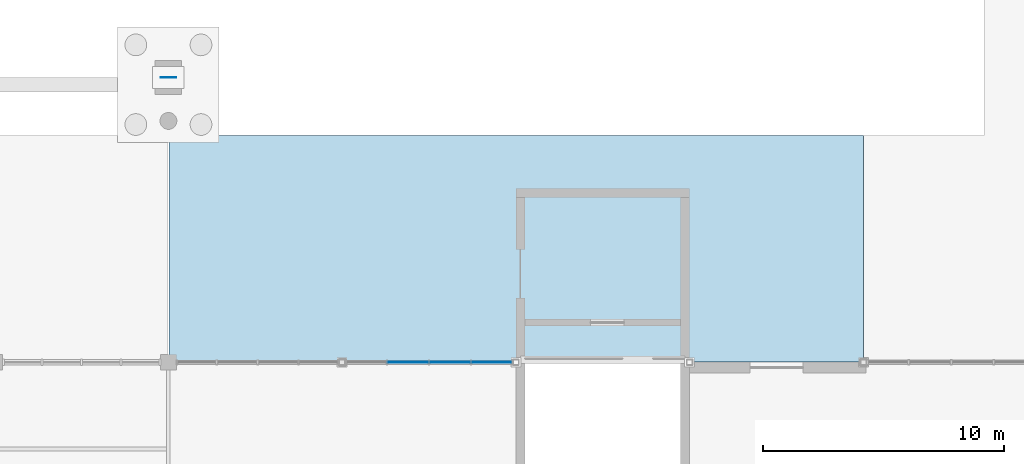
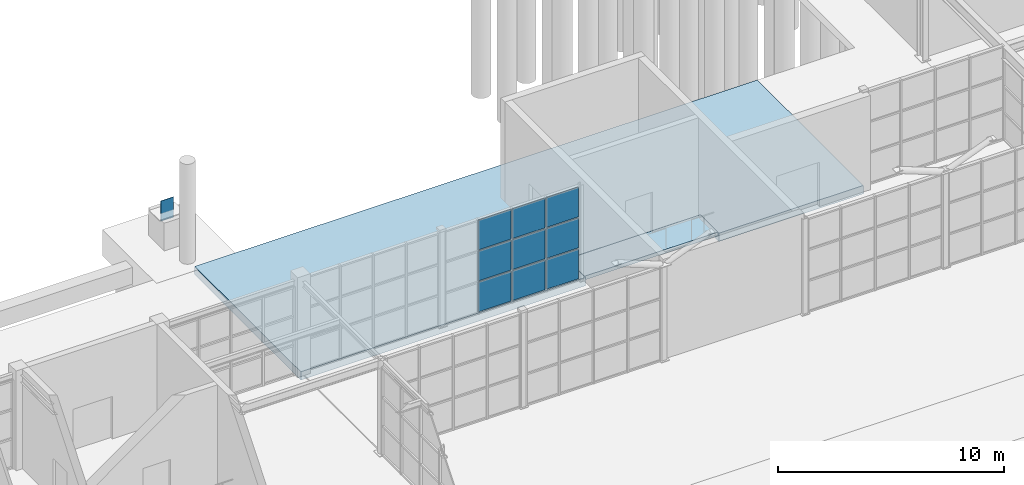
# One storey, part 47 of 75: 10 plates, 2 slabs, 1 element without a shape of its own.
"""IFC4 building model written with IfcOpenShell, lengths in metres."""

from ifc_helpers import new_model, si_unit, direction, frame, origin, origin_2d, place, context, subcontext, project, spatial, polyline, rectangle, outline, extrude, material, layer, layer_set, type_object, element, aggregate, save


model = new_model("IFC4")

# Units and contexts
model_context = context("Model", 3, precision=1e-05, world=origin(), true_north=direction((0.0, 1.0)))
body_context = subcontext(model_context, "Body", "Model", "MODEL_VIEW")
ifc_project = project(units=[si_unit("LENGTHUNIT", "METRE"), si_unit("AREAUNIT", "SQUARE_METRE"), si_unit("VOLUMEUNIT", "CUBIC_METRE"), si_unit("PLANEANGLEUNIT", "RADIAN"), si_unit("MASSUNIT", "GRAM", prefix="KILO")], contexts=[model_context])

# Site, building, storey
site_placement = place(None, origin())
site = spatial("IfcSite", under=ifc_project, at=site_placement, CompositionType="ELEMENT")
building_placement = place(site_placement, origin())
building = spatial("IfcBuilding", under=site, at=building_placement, Name="Leyfeld Transit Interchange", CompositionType="ELEMENT")
storey_placement = place(building_placement, origin())
storey = spatial("IfcBuildingStorey", under=building, at=storey_placement, Name="L00", CompositionType="ELEMENT", Elevation=0.0)

# Curtain wall, plates
ifc_material_1 = material(Name="Anodised aluminium EN AW-6060 T66", Category="aluminium")
curtain_wall_type = type_object("IfcCurtainWallType", Name="CW-SYS-PAS-7200", PredefinedType="NOTDEFINED", material=ifc_material_1)
curtain_wall_placement = place(storey_placement, origin())
curtain_wall = element("IfcCurtainWall", 1, at=curtain_wall_placement, inside=storey, type_object=curtain_wall_type, Name="Curtain Wall CW-L00-021", PredefinedType="NOTDEFINED")
ifc_material_2 = material(Name="Triple low-E insulated glazing", Category="glass")
ifc_layer_1 = layer(ifc_material_2, 0.0380859375, Name="Triple low-E insulated glazing")
ifc_layer_set_1 = layer_set([ifc_layer_1], Name="Triple low-E insulated glazing")
plate_type_1 = type_object("IfcPlateType", Name="CW-PNL-GLZ-38", PredefinedType="CURTAIN_PANEL", material=ifc_layer_set_1)
plate_1_placement = place(storey_placement, frame((110.728759765625, 50.39990234375, 0.073486328125), z_axis=(0.0, 0.0, 1.0), x_axis=(1.0, 0.0, 0.0)))
plate_1 = element("IfcPlate", 2, at=plate_1_placement, type_object=plate_type_1, Name="Glazed Curtain Panel CW-L00-021-P02_1", PredefinedType="CURTAIN_PANEL", context=body_context, shape_type="SweptSolid", body=[
    extrude(rectangle(XDim=1.67041015625, YDim=0.0380859375, at=origin_2d()), origin(), (0.0, 0.0, 1.0), 1.60302734375),
])
plate_2_placement = place(storey_placement, frame((110.728759765625, 50.39990234375, 1.74853515625), z_axis=(0.0, 0.0, 1.0), x_axis=(1.0, 0.0, 0.0)))
plate_2 = element("IfcPlate", 3, at=plate_2_placement, type_object=plate_type_1, Name="Glazed Curtain Panel CW-L00-021-P02_2", PredefinedType="CURTAIN_PANEL", context=body_context, shape_type="SweptSolid", body=[
    extrude(rectangle(XDim=1.67041015625, YDim=0.0380859375, at=origin_2d()), origin(), (0.0, 0.0, 1.0), 1.60302734375),
])
plate_3_placement = place(storey_placement, frame((110.728759765625, 50.39990234375, 3.423583984375), z_axis=(0.0, 0.0, 1.0), x_axis=(1.0, 0.0, 0.0)))
plate_3 = element("IfcPlate", 4, at=plate_3_placement, type_object=plate_type_1, Name="Glazed Curtain Panel CW-L00-021-P02_3", PredefinedType="CURTAIN_PANEL", context=body_context, shape_type="SweptSolid", body=[
    extrude(rectangle(XDim=1.67041015625, YDim=0.0380859375, at=origin_2d()), origin(), (0.0, 0.0, 1.0), 1.60302734375),
])
plate_4_placement = place(storey_placement, frame((112.47119140625, 50.39990234375, 0.073486328125), z_axis=(0.0, 0.0, 1.0), x_axis=(1.0, 0.0, 0.0)))
plate_4 = element("IfcPlate", 5, at=plate_4_placement, type_object=plate_type_1, Name="Glazed Curtain Panel CW-L00-021-P03_1", PredefinedType="CURTAIN_PANEL", context=body_context, shape_type="SweptSolid", body=[
    extrude(rectangle(XDim=1.67041015625, YDim=0.0380859375, at=origin_2d()), origin(), (0.0, 0.0, 1.0), 1.60302734375),
])
plate_5_placement = place(storey_placement, frame((112.47119140625, 50.39990234375, 1.74853515625), z_axis=(0.0, 0.0, 1.0), x_axis=(1.0, 0.0, 0.0)))
plate_5 = element("IfcPlate", 6, at=plate_5_placement, type_object=plate_type_1, Name="Glazed Curtain Panel CW-L00-021-P03_2", PredefinedType="CURTAIN_PANEL", context=body_context, shape_type="SweptSolid", body=[
    extrude(rectangle(XDim=1.67041015625, YDim=0.0380859375, at=origin_2d()), origin(), (0.0, 0.0, 1.0), 1.60302734375),
])
plate_6_placement = place(storey_placement, frame((112.47119140625, 50.39990234375, 3.423583984375), z_axis=(0.0, 0.0, 1.0), x_axis=(1.0, 0.0, 0.0)))
plate_6 = element("IfcPlate", 7, at=plate_6_placement, type_object=plate_type_1, Name="Glazed Curtain Panel CW-L00-021-P03_3", PredefinedType="CURTAIN_PANEL", context=body_context, shape_type="SweptSolid", body=[
    extrude(rectangle(XDim=1.67041015625, YDim=0.0380859375, at=origin_2d()), origin(), (0.0, 0.0, 1.0), 1.60302734375),
])
plate_7_placement = place(storey_placement, frame((114.195068359375, 50.39990234375, 0.073486328125), z_axis=(0.0, 0.0, 1.0), x_axis=(1.0, 0.0, 0.0)))
plate_7 = element("IfcPlate", 8, at=plate_7_placement, type_object=plate_type_1, Name="Glazed Curtain Panel CW-L00-021-P04_1", PredefinedType="CURTAIN_PANEL", context=body_context, shape_type="SweptSolid", body=[
    extrude(rectangle(XDim=1.633056640625, YDim=0.0380859375, at=origin_2d()), origin(), (0.0, 0.0, 1.0), 1.60302734375),
])
plate_8_placement = place(storey_placement, frame((114.195068359375, 50.39990234375, 1.74853515625), z_axis=(0.0, 0.0, 1.0), x_axis=(1.0, 0.0, 0.0)))
plate_8 = element("IfcPlate", 9, at=plate_8_placement, type_object=plate_type_1, Name="Glazed Curtain Panel CW-L00-021-P04_2", PredefinedType="CURTAIN_PANEL", context=body_context, shape_type="SweptSolid", body=[
    extrude(rectangle(XDim=1.633056640625, YDim=0.0380859375, at=origin_2d()), origin(), (0.0, 0.0, 1.0), 1.60302734375),
])
plate_9_placement = place(storey_placement, frame((114.195068359375, 50.39990234375, 3.423583984375), z_axis=(0.0, 0.0, 1.0), x_axis=(1.0, 0.0, 0.0)))
plate_9 = element("IfcPlate", 10, at=plate_9_placement, type_object=plate_type_1, Name="Glazed Curtain Panel CW-L00-021-P04_3", PredefinedType="CURTAIN_PANEL", context=body_context, shape_type="SweptSolid", body=[
    extrude(rectangle(XDim=1.633056640625, YDim=0.0380859375, at=origin_2d()), origin(), (0.0, 0.0, 1.0), 1.60302734375),
])
aggregate(curtain_wall, [plate_1, plate_2, plate_3, plate_4, plate_5, plate_6, plate_7, plate_8, plate_9])

# Plate
ifc_material_3 = material(Name="Steel S355J2 - Ochre Arch", Category="steel")
ifc_layer_2 = layer(ifc_material_3, 0.030029296875, Name="Steel S355J2 - Ochre Arch")
ifc_layer_set_2 = layer_set([ifc_layer_2], Name="Steel S355J2 - Ochre Arch")
plate_type_2 = type_object("IfcPlateType", Name="PLT-CAP-30", PredefinedType="USERDEFINED", material=ifc_layer_set_2)
plate_10_placement = place(storey_placement, frame((100.800048828125, 62.199951171875, 1.099853515625), z_axis=(0.0, 0.0, 1.0), x_axis=(1.0, 0.0, 0.0)))
element("IfcPlate", 11, at=plate_10_placement, inside=storey, type_object=plate_type_2, Name="Arch End Cap Plate GP-E 12", ObjectType="FLANGE_PLATE", PredefinedType="USERDEFINED", context=body_context, shape_type="SweptSolid", body=[
    extrude(rectangle(XDim=0.64990234375, YDim=0.030029296875, at=origin_2d()), origin(), (0.0, 0.0, 1.0), 1.10009765625),
])

# Slabs
ifc_material_4 = material(Name="Precast concrete C40/50", Category="concrete")
ifc_layer_3 = layer(ifc_material_4, 0.199951171875, Name="Precast concrete C40/50")
ifc_layer_set_3 = layer_set([ifc_layer_3], Name="Precast concrete C40/50")
slab_type_1 = type_object("IfcSlabType", Name="SLB-LND-200", PredefinedType="LANDING", material=ifc_layer_set_3)
slab_1_placement = place(storey_placement, frame((0.0, 0.0, -0.199951171875)))
element("IfcSlab", 12, at=slab_1_placement, inside=storey, type_object=slab_type_1, Name="Core K9 Stair Floor Landing L00", PredefinedType="LANDING", context=body_context, shape_type="SweptSolid", body=[
    extrude(outline(polyline([(115.389892578125, 50.5), (122.2099609375, 50.5), (122.2099609375, 52.044921875), (115.389892578125, 52.044921875), (115.389892578125, 50.5)])), origin(), (0.0, 0.0, 1.0), 0.199951171875),
])
ifc_material_5 = material(Name="Concrete C40/50", Category="concrete")
ifc_layer_4 = layer(ifc_material_5, 0.449951171875, Name="Concrete C40/50")
ifc_layer_set_4 = layer_set([ifc_layer_4], Name="Concrete C40/50")
slab_type_2 = type_object("IfcSlabType", Name="SLB-TRF-450", PredefinedType="FLOOR", material=ifc_layer_set_4)
slab_2_placement = place(storey_placement, frame((0.0, 0.0, -0.449951171875)))
element("IfcSlab", 13, at=slab_2_placement, inside=storey, type_object=slab_type_2, Name="Outdoor Roof Terrace PLZ_LID3 L00", PredefinedType="FLOOR", context=body_context, shape_type="SweptSolid", body=[
    extrude(outline(polyline([(129.60009765625, 50.39990234375), (129.60009765625, 59.800048828125), (100.824951171875, 59.800048828125), (100.824951171875, 50.39990234375), (115.385009765625, 50.39990234375), (115.385009765625, 52.050048828125), (122.215087890625, 52.050048828125), (122.215087890625, 50.39990234375), (129.60009765625, 50.39990234375)])), origin(), (0.0, 0.0, 1.0), 0.449951171875),
])

save(model, "model.ifc")
